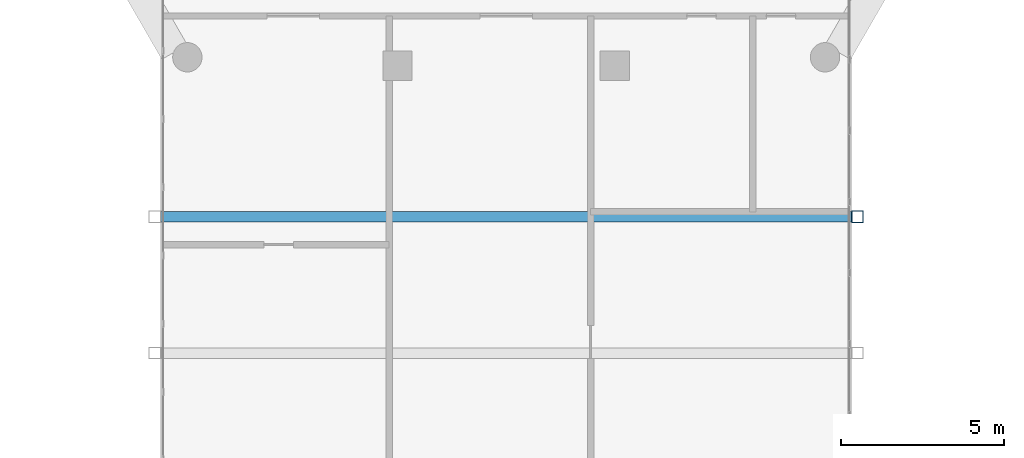
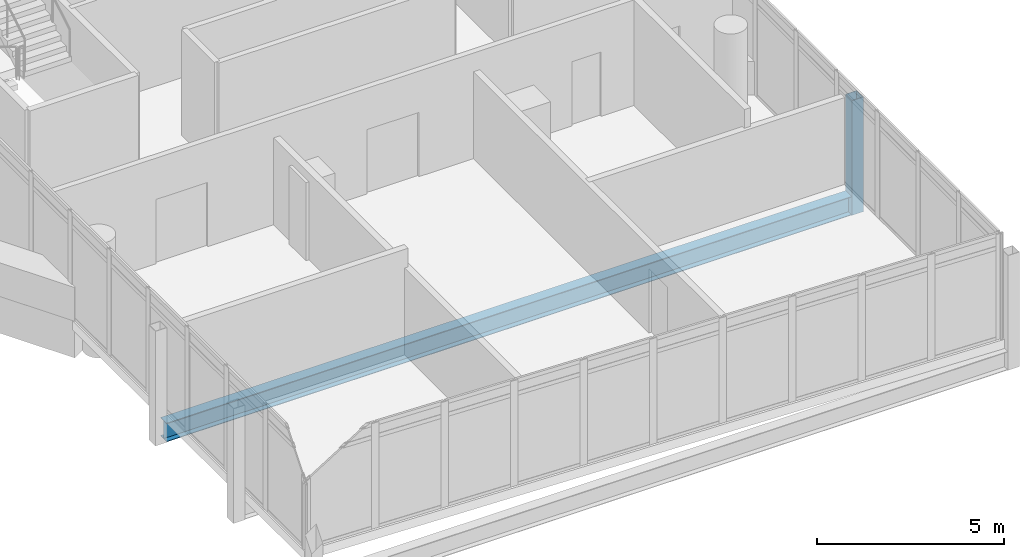
# One storey, part 7 of 25: 1 beam, 1 member.
"""IFC4 building model written with IfcOpenShell, lengths in metres."""

from ifc_helpers import new_model, si_unit, direction, frame, origin, origin_2d, place, context, subcontext, project, spatial, hollow_rectangle, i_section, extrude, material, material_profile, profile_set, type_object, element, save


model = new_model("IFC4")

# Units and contexts
model_context = context("Model", 3, precision=1e-05, world=origin(), true_north=direction((0.0, 1.0)))
body_context = subcontext(model_context, "Body", "Model", "MODEL_VIEW")
ifc_project = project(units=[si_unit("LENGTHUNIT", "METRE"), si_unit("AREAUNIT", "SQUARE_METRE"), si_unit("VOLUMEUNIT", "CUBIC_METRE"), si_unit("PLANEANGLEUNIT", "RADIAN"), si_unit("MASSUNIT", "GRAM", prefix="KILO")], contexts=[model_context])

# Site, building, storey
site_placement = place(None, origin())
site = spatial("IfcSite", under=ifc_project, at=site_placement, CompositionType="ELEMENT")
building_placement = place(site_placement, origin())
building = spatial("IfcBuilding", under=site, at=building_placement, Name="Ostrander Bayou Hotel Tower", CompositionType="ELEMENT")
storey_placement = place(building_placement, frame((0.0, 0.0, 229.5)))
storey = spatial("IfcBuildingStorey", under=building, at=storey_placement, Name="L57", CompositionType="ELEMENT", Elevation=229.5)

# Beam
ifc_material_1 = material(Name="Steel ASTM A992", Category="steel")
ifc_material_profile_1 = material_profile(ifc_material_1, i_section(OverallWidth=0.32373046875, OverallDepth=0.611083984375, WebThickness=0.0126953125, FlangeThickness=0.01904296875, at=origin_2d()))
ifc_profile_set_1 = profile_set([ifc_material_profile_1], Name="Steel ASTM A992")
beam_type = type_object("IfcBeamType", Name="TF2 bar floor beam W24x104", PredefinedType="BEAM", material=ifc_profile_set_1)
beam_placement = place(storey_placement, frame((-10.587158203125, -21.147705078125, -0.605712890625), z_axis=(1.0, 0.0, 0.0), x_axis=(0.0, 1.0, 0.0)))
element("IfcBeam", 1, at=beam_placement, inside=storey, type_object=beam_type, Name="TF2 SB5S L3-1", PredefinedType="BEAM", context=body_context, shape_type="SweptSolid", body=[
    extrude(i_section(OverallWidth=0.32373046875, OverallDepth=0.611083984375, WebThickness=0.0126953125, FlangeThickness=0.01904296875, at=origin_2d()), origin(), (0.0, 0.0, 1.0), 21.17431640625),
])

# Member
ifc_material_2 = material(Name="Steel ASTM A500 Gr C", Category="steel")
ifc_material_profile_2 = material_profile(ifc_material_2, hollow_rectangle(XDim=0.355712890625, YDim=0.355712890625, WallThickness=0.0146484375, at=origin_2d()))
ifc_profile_set_2 = profile_set([ifc_material_profile_2], Name="Steel ASTM A500 Gr C")
member_type = type_object("IfcMemberType", Name="TH1 bar hanger HSS14x14x5/8", PredefinedType="POST", material=ifc_profile_set_2)
member_placement = place(storey_placement, frame((10.764892578125, -21.147705078125, -0.9111328125), z_axis=(0.0, 0.0, 1.0), x_axis=(1.0, 0.0, 0.0)))
element("IfcMember", 2, at=member_placement, inside=storey, type_object=member_type, Name="TH1 SB5SB H1-3", PredefinedType="POST", context=body_context, shape_type="SweptSolid", body=[
    extrude(hollow_rectangle(XDim=0.355712890625, YDim=0.355712890625, WallThickness=0.0146484375, at=origin_2d()), origin(), (0.0, 0.0, 1.0), 3.75),
])

save(model, "model.ifc")
